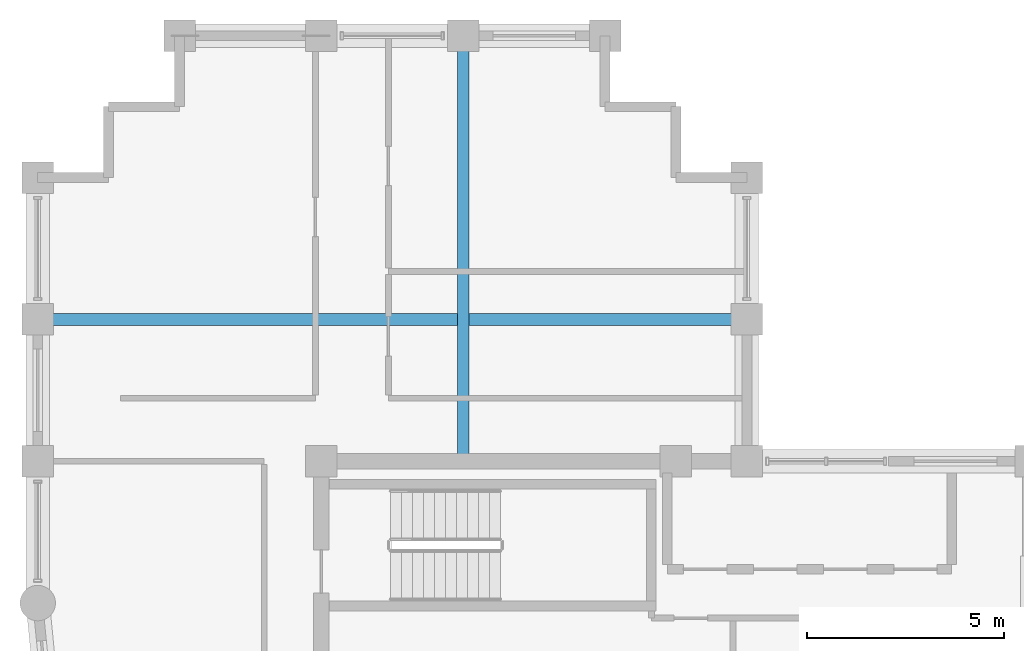
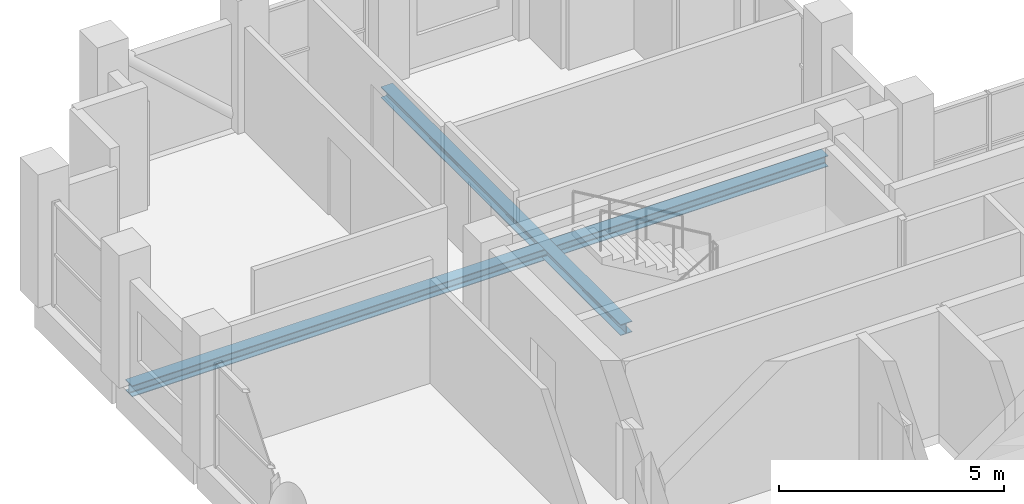
# One storey, part 8 of 17: 2 beams.
"""IFC4 building model written with IfcOpenShell, lengths in metres."""

from ifc_helpers import new_model, si_unit, direction, frame, origin, origin_2d, place, context, subcontext, project, spatial, i_section, extrude, material, material_profile, profile_set, type_object, element, save


model = new_model("IFC4")

# Units and contexts
model_context = context("Model", 3, precision=1e-05, world=origin(), true_north=direction((0.0, 1.0)))
body_context = subcontext(model_context, "Body", "Model", "MODEL_VIEW")
ifc_project = project(units=[si_unit("LENGTHUNIT", "METRE"), si_unit("AREAUNIT", "SQUARE_METRE"), si_unit("VOLUMEUNIT", "CUBIC_METRE"), si_unit("PLANEANGLEUNIT", "RADIAN"), si_unit("MASSUNIT", "GRAM", prefix="KILO")], contexts=[model_context])

# Site, building, storey
site_placement = place(None, origin())
site = spatial("IfcSite", under=ifc_project, at=site_placement, CompositionType="ELEMENT")
building_placement = place(site_placement, origin())
building = spatial("IfcBuilding", under=site, at=building_placement, Name="Solnavia Interchange Tower", CompositionType="ELEMENT")
storey_placement = place(building_placement, frame((0.0, 0.0, 291.800048828125)))
storey = spatial("IfcBuildingStorey", under=building, at=storey_placement, Name="L74", CompositionType="ELEMENT", Elevation=291.800048828125)

# Beams
ifc_material = material(Name="Steel S460", Category="steel")
ifc_material_profile = material_profile(ifc_material, i_section(OverallWidth=0.300048828125, OverallDepth=0.300048828125, WebThickness=0.010986328125, FlangeThickness=0.01904296875, FilletRadius=0.027099609375, at=origin_2d()), Name="HEB 300")
ifc_profile_set = profile_set([ifc_material_profile], Name="Steel S460")
beam_type = type_object("IfcBeamType", Name="Beam-Girder-HEB300", PredefinedType="BEAM", material=ifc_profile_set)
beam_1_placement = place(storey_placement, frame((18.0, 25.280029296875, -0.400146484375), z_axis=(0.0, 1.0, 0.0), x_axis=(-1.0, 0.0, 0.0)))
element("IfcBeam", 1, at=beam_1_placement, inside=storey, type_object=beam_type, Name="GRD-L74-NS03 North wing spine girder", PredefinedType="BEAM", context=body_context, shape_type="SweptSolid", body=[
    extrude(i_section(OverallWidth=0.300048828125, OverallDepth=0.300048828125, WebThickness=0.010986328125, FlangeThickness=0.01904296875, FilletRadius=0.027099609375, at=origin_2d()), origin(), (0.0, 0.0, 1.0), 10.639892578125),
])
beam_2_placement = place(storey_placement, frame((7.280029296875, 28.800048828125, -0.400146484375), z_axis=(1.0, 0.0, 0.0), x_axis=(0.0, 1.0, 0.0)))
element("IfcBeam", 2, at=beam_2_placement, inside=storey, type_object=beam_type, Name="GRD-L74-NW04 North wing primary floor girder", PredefinedType="BEAM", context=body_context, shape_type="SweptSolid", body=[
    extrude(i_section(OverallWidth=0.300048828125, OverallDepth=0.300048828125, WebThickness=0.010986328125, FlangeThickness=0.01904296875, FilletRadius=0.027099609375, at=origin_2d()), origin(), (0.0, 0.0, 1.0), 17.840087890625),
])

save(model, "model.ifc")
